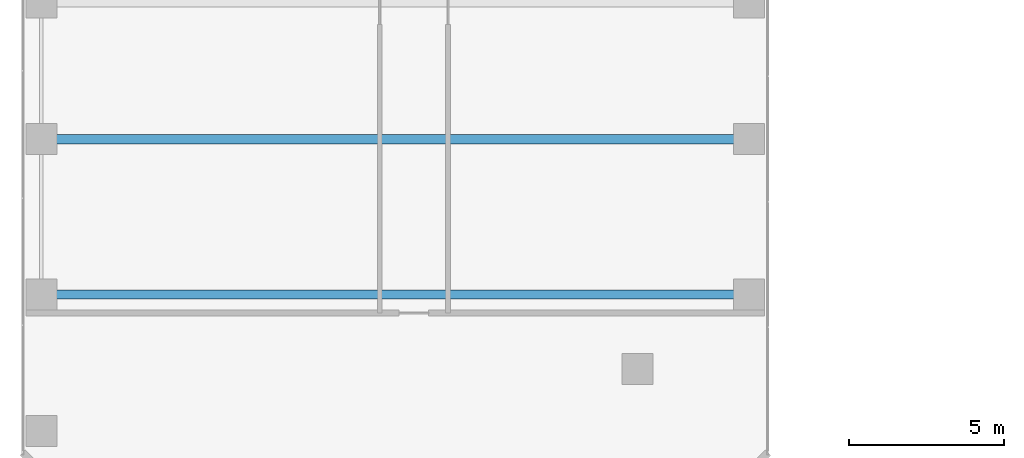
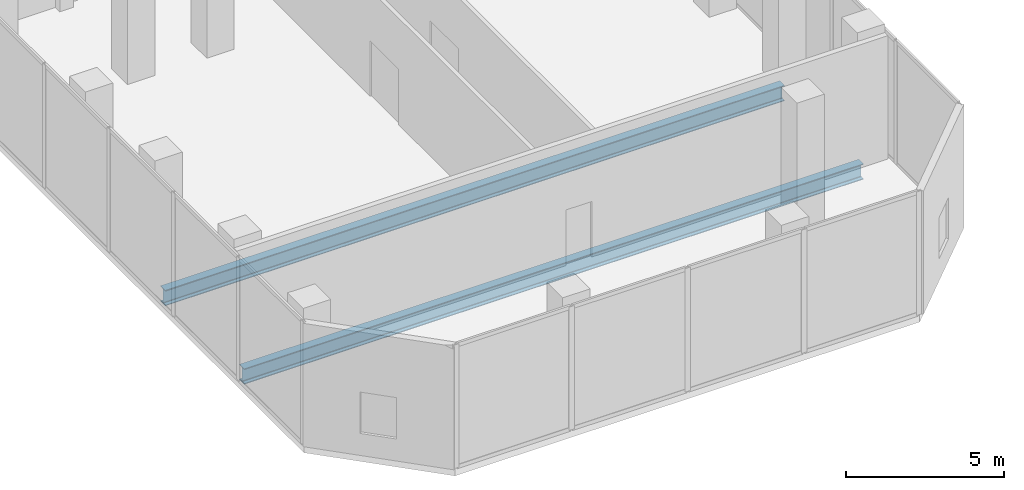
# One storey, part 4 of 24: 2 beams.
"""IFC4 building model written with IfcOpenShell, lengths in metres."""

import ifcopenshell
import ifcopenshell.guid

model = None  # the IFC model being written
_history = None  # IfcOwnerHistory: only IFC2X3 demands one
_inside = {}  # id of a spatial element -> (the spatial element, [elements in it])
_under = {}  # id of a project, library or spatial element -> (it, [spatial elements below it])
_declared = {}  # id of a project -> (the project, [libraries it declares])
_typed = {}  # id of a type object -> (the type object, [elements of that type])
_made_of = {}  # id of a material, layer set ... -> (it, [elements and type objects made of it])


def new_model(schema):
    """Start an empty IFC model of exactly this schema.

    Asked for "IFC4X3", IfcOpenShell would pick the latest addendum, in which some entities
    have other attributes; the version numbers below select the first issue.
    IFC2X3 requires an IfcOwnerHistory on every rooted entity: one is made here for all.
    """
    global model, _history
    if schema == "IFC4X3":
        model = ifcopenshell.file(schema_version=(4, 3, 0, 0))
    else:
        model = ifcopenshell.file(schema=schema)
    _inside.clear()
    _under.clear()
    _declared.clear()
    _typed.clear()
    _made_of.clear()
    _history = None
    if model.schema == "IFC2X3":
        org = make("IfcOrganization", Name="unknown")
        user = make(
            "IfcPersonAndOrganization",
            ThePerson=make("IfcPerson", FamilyName="unknown"),
            TheOrganization=org,
        )
        app = make(
            "IfcApplication",
            ApplicationDeveloper=org,
            Version="unknown",
            ApplicationFullName="unknown",
            ApplicationIdentifier="unknown",
        )
        _history = make(
            "IfcOwnerHistory",
            OwningUser=user,
            OwningApplication=app,
            ChangeAction="ADDED",
            CreationDate=0,
        )
    return model


def make(cls, **values):
    """One entity of the class cls with the attributes given. An attribute that is None is left unset."""
    return model.create_entity(
        cls, **{name: value for name, value in values.items() if value is not None}
    )


def rooted(cls, **values):
    """An entity with a GlobalId (a new one), such as an element, a storey or a relation."""
    return make(cls, GlobalId=ifcopenshell.guid.new(), OwnerHistory=_history, **values)


def si_unit(unit_type, name, prefix=None):
    """IfcSIUnit, for example si_unit("LENGTHUNIT", "METRE", prefix="MILLI")."""
    return make("IfcSIUnit", UnitType=unit_type, Prefix=prefix, Name=name)


def assignment(units):
    """IfcUnitAssignment: the units of a project."""
    return None if units is None else make("IfcUnitAssignment", Units=units)


def point(xyz):
    """IfcCartesianPoint."""
    return None if xyz is None else make("IfcCartesianPoint", Coordinates=xyz)


def direction(xyz):
    """IfcDirection."""
    return None if xyz is None else make("IfcDirection", DirectionRatios=xyz)


def frame(location, z_axis=None, x_axis=None):
    """IfcAxis2Placement3D, a coordinate frame: its origin and axes. An axis left out is left unset."""
    return make(
        "IfcAxis2Placement3D",
        Location=point(location),
        Axis=direction(z_axis),
        RefDirection=direction(x_axis),
    )


def frame_2d(location, x_axis=None):
    """IfcAxis2Placement2D, a coordinate frame in the plane: its origin and x axis."""
    return make(
        "IfcAxis2Placement2D", Location=point(location), RefDirection=direction(x_axis)
    )


def origin():
    """The frame at (0, 0, 0) with its axes left unset."""
    return frame((0.0, 0.0, 0.0))


def origin_2d():
    """The frame at (0, 0) in the plane with its x axis left unset."""
    return frame_2d((0.0, 0.0))


def place(relative_to, where):
    """IfcLocalPlacement: puts the frame where relative to a parent placement (None: the world)."""
    return make(
        "IfcLocalPlacement", PlacementRelTo=relative_to, RelativePlacement=where
    )


def context(
    kind, dimensions, precision=None, world=None, true_north=None, identifier=None
):
    """IfcGeometricRepresentationContext, for example the 3D "Model" context."""
    return make(
        "IfcGeometricRepresentationContext",
        ContextIdentifier=identifier,
        ContextType=kind,
        CoordinateSpaceDimension=dimensions,
        Precision=precision,
        WorldCoordinateSystem=world,
        TrueNorth=true_north,
    )


def subcontext(parent, identifier, kind, view, scale=None):
    """IfcGeometricRepresentationSubContext, for example "Body" below "Model"."""
    return make(
        "IfcGeometricRepresentationSubContext",
        ContextIdentifier=identifier,
        ContextType=kind,
        ParentContext=parent,
        TargetScale=scale,
        TargetView=view,
    )


def project(units=None, contexts=None):
    """IfcProject with its units and contexts."""
    return rooted(
        "IfcProject",
        Name="project",
        RepresentationContexts=contexts,
        UnitsInContext=assignment(units),
    )


def spatial(cls, under=None, at=None, **own):
    """A site, building, storey or space (cls), placed at a placement, below another one or the project."""
    s = rooted(cls, ObjectPlacement=at, **own)
    if under is not None:
        _under.setdefault(under.id(), (under, []))[1].append(s)
    return s


def profile(cls, at=None, kind="AREA", **sizes):
    """A parametric profile (cls). Its sizes go by their IFC names, for example OverallWidth=200.0."""
    return make(cls, ProfileType=kind, Position=at, **sizes)


def i_section(**sizes):
    """IfcIShapeProfileDef."""
    return profile("IfcIShapeProfileDef", **sizes)


def extrude(swept, where, along, depth):
    """IfcExtrudedAreaSolid: the profile swept, set in the frame where, extruded along a direction by depth."""
    return make(
        "IfcExtrudedAreaSolid",
        SweptArea=swept,
        Position=where,
        ExtrudedDirection=direction(along),
        Depth=depth,
    )


def shape(context_of_items, identifier, shape_type, items):
    """IfcShapeRepresentation: the items that make up one representation, for example the "Body"."""
    return make(
        "IfcShapeRepresentation",
        ContextOfItems=context_of_items,
        RepresentationIdentifier=identifier,
        RepresentationType=shape_type,
        Items=items,
    )


def material(Name=None, Category=None):
    """IfcMaterial."""
    return make("IfcMaterial", Name=Name, Category=Category)


def material_profile(
    of_material, cross_section, Name=None, Category=None, Priority=None
):
    """IfcMaterialProfile: a cross section and its material."""
    return make(
        "IfcMaterialProfile",
        Name=Name,
        Material=of_material,
        Profile=cross_section,
        Priority=Priority,
        Category=Category,
    )


def profile_set(profiles, Name=None, composite=None):
    """IfcMaterialProfileSet."""
    return make(
        "IfcMaterialProfileSet",
        Name=Name,
        MaterialProfiles=profiles,
        CompositeProfile=composite,
    )


def made_of(thing, what):
    """Note that an element or type object is made of a material, layer set ...; save() writes the relation."""
    if what is not None:
        _made_of.setdefault(what.id(), (what, []))[1].append(thing)
    return thing


def type_object(cls, material=None, **own):
    """A type object (cls), such as IfcWallType, which elements share."""
    return made_of(rooted(cls, **own), material)


def element(
    cls,
    number,
    at=None,
    inside=None,
    cuts=None,
    type_object=None,
    material=None,
    context=None,
    identifier="Body",
    shape_type=None,
    held_by="IfcProductDefinitionShape",
    body=None,
    shapes=None,
    **own,
):
    """One element of the class cls, such as IfcWall. Its Tag is "e" and its number.

    at: its placement. inside: the storey or other place that contains it. cuts: it is an
    opening in that element (IfcRelVoidsElement). A single representation is given by context,
    identifier, shape_type and body (its items); several are given by shapes. held_by: the class
    of the entity that holds the representations. save() writes the other relations.
    """
    e = rooted(cls, Tag="e%d" % number, ObjectPlacement=at, **own)
    if body is not None:
        shapes = [shape(context, identifier, shape_type, body)]
    if shapes is not None:
        e.Representation = make(held_by, Representations=shapes)
    if inside is not None:
        _inside.setdefault(inside.id(), (inside, []))[1].append(e)
    if cuts is not None:
        rooted(
            "IfcRelVoidsElement", RelatingBuildingElement=cuts, RelatedOpeningElement=e
        )
    if type_object is not None:
        _typed.setdefault(type_object.id(), (type_object, []))[1].append(e)
    return made_of(e, material)


def aggregate(whole, parts):
    """IfcRelAggregates: a whole, such as a stair, and the parts it consists of."""
    return rooted("IfcRelAggregates", RelatingObject=whole, RelatedObjects=parts)


def save(model, path):
    """Write the relations noted so far, then the file.

    IfcRelAggregates (storeys below a building ...), IfcRelContainedInSpatialStructure (elements
    in a storey), IfcRelDefinesByType, IfcRelAssociatesMaterial and IfcRelDeclares: one each for
    every whole, place, type object, material and project.
    """
    for whole, parts in _under.values():
        aggregate(whole, parts)
    for where, things in _inside.values():
        rooted(
            "IfcRelContainedInSpatialStructure",
            RelatedElements=things,
            RelatingStructure=where,
        )
    for kind, things in _typed.values():
        rooted("IfcRelDefinesByType", RelatedObjects=things, RelatingType=kind)
    for what, things in _made_of.values():
        rooted("IfcRelAssociatesMaterial", RelatedObjects=things, RelatingMaterial=what)
    for by, libraries in _declared.values():
        rooted("IfcRelDeclares", RelatingContext=by, RelatedDefinitions=libraries)
    model.write(path)


model = new_model("IFC4")

# Units and contexts
model_context = context("Model", 3, precision=1e-05, world=origin(), true_north=direction((0.0, 1.0)))
body_context = subcontext(model_context, "Body", "Model", "MODEL_VIEW")
ifc_project = project(units=[si_unit("LENGTHUNIT", "METRE"), si_unit("AREAUNIT", "SQUARE_METRE"), si_unit("VOLUMEUNIT", "CUBIC_METRE"), si_unit("PLANEANGLEUNIT", "RADIAN"), si_unit("MASSUNIT", "GRAM", prefix="KILO")], contexts=[model_context])

# Site, building, storey
site_placement = place(None, origin())
site = spatial("IfcSite", under=ifc_project, at=site_placement, CompositionType="ELEMENT")
building_placement = place(site_placement, origin())
building = spatial("IfcBuilding", under=site, at=building_placement, Name="Catumbela Crestline Tower", CompositionType="ELEMENT")
storey_placement = place(building_placement, frame((0.0, 0.0, 6.0)))
storey = spatial("IfcBuildingStorey", under=building, at=storey_placement, Name="L01", CompositionType="ELEMENT", Elevation=6.0)

# Beams
ifc_material = material(Name="Structural steel S355J2", Category="steel")
ifc_material_profile = material_profile(ifc_material, i_section(OverallWidth=0.3, OverallDepth=0.6, WebThickness=0.0155, FlangeThickness=0.03, FilletRadius=0.027, at=origin_2d()), Name="HEB 600")
ifc_profile_set = profile_set([ifc_material_profile], Name="Structural steel S355J2")
beam_type = type_object("IfcBeamType", Name="BG-HEB600", PredefinedType="BEAM", material=ifc_profile_set)
for number, where, z_axis, x_axis, name in (
    (1, (0.68, 8.6, -0.62), (1.0, 0.0, 0.0), (0.0, 1.0, 0.0), "L01 Beam BM-L01-BLR43"),
    (2, (0.68, 13.6, -0.62), (1.0, 0.0, 0.0), (0.0, 1.0, 0.0), "L01 Beam BM-L01-BLR44"),
):
    element("IfcBeam", number, at=place(storey_placement, frame(where, z_axis=z_axis, x_axis=x_axis)), inside=storey, type_object=beam_type, Name=name, PredefinedType="BEAM", context=body_context, shape_type="SweptSolid", body=[
        extrude(i_section(OverallWidth=0.3, OverallDepth=0.6, WebThickness=0.0155, FlangeThickness=0.03, FilletRadius=0.027, at=origin_2d()), origin(), (0.0, 0.0, 1.0), 22.64),
    ])

save(model, "model.ifc")
